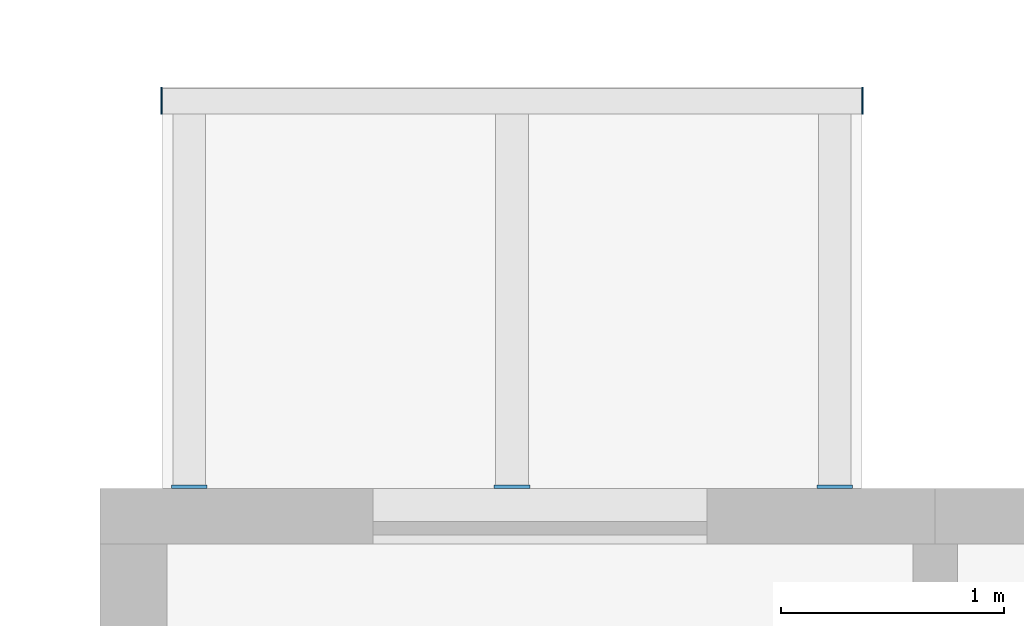
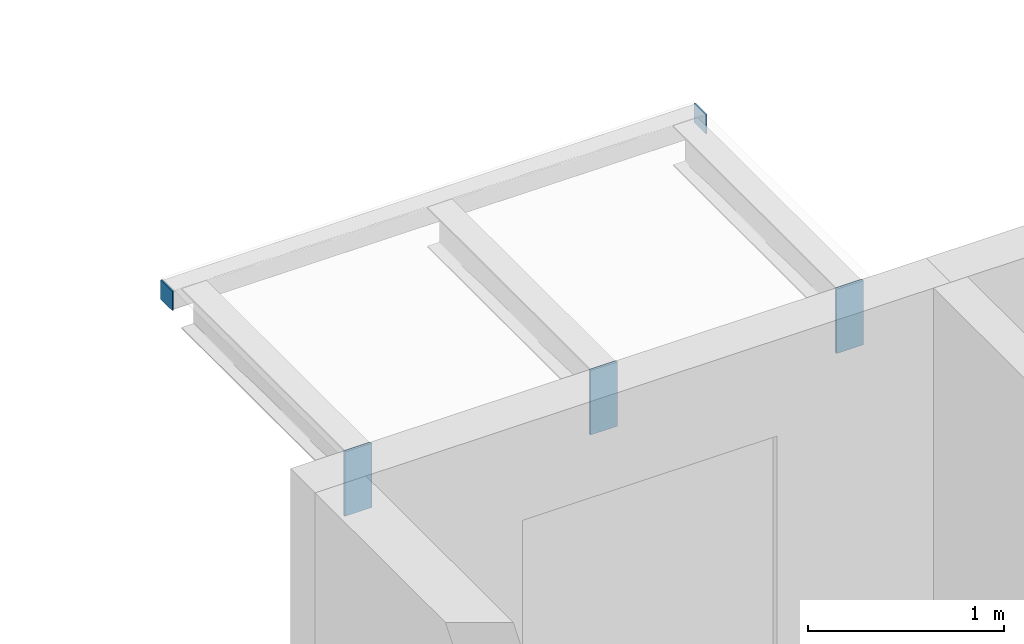
# One storey, part 88 of 115: 5 discrete accessories.
"""IFC4 building model written with IfcOpenShell, lengths in metres."""

from ifc_helpers import new_model, si_unit, direction, frame, origin, origin_2d, place, context, subcontext, project, spatial, rectangle, extrude, material, layer, layer_set, type_object, element, save


model = new_model("IFC4")

# Units and contexts
model_context = context("Model", 3, precision=1e-05, world=origin(), true_north=direction((0.0, 1.0)))
body_context = subcontext(model_context, "Body", "Model", "MODEL_VIEW")
ifc_project = project(units=[si_unit("LENGTHUNIT", "METRE"), si_unit("AREAUNIT", "SQUARE_METRE"), si_unit("VOLUMEUNIT", "CUBIC_METRE"), si_unit("PLANEANGLEUNIT", "RADIAN"), si_unit("MASSUNIT", "GRAM", prefix="KILO")], contexts=[model_context])

# Site, building, storey
site_placement = place(None, origin())
site = spatial("IfcSite", under=ifc_project, at=site_placement, CompositionType="ELEMENT")
building_placement = place(site_placement, origin())
building = spatial("IfcBuilding", under=site, at=building_placement, Name="Ridgestep Commons", CompositionType="ELEMENT")
storey_placement = place(building_placement, frame((0.0, 0.0, 6.0)))
storey = spatial("IfcBuildingStorey", under=building, at=storey_placement, Name="L02", CompositionType="ELEMENT", Elevation=6.0)

# Discrete accessories
ifc_material_1 = material(Name="Weathering steel S355J2W", Category="steel")
ifc_layer_1 = layer(ifc_material_1, 0.014892578125)
ifc_layer_set_1 = layer_set([ifc_layer_1], Name="Tray bracket plate 15")
discrete_accessory_type_1 = type_object("IfcDiscreteAccessoryType", Name="Tray bracket plate 15", PredefinedType="BRACKET", material=ifc_layer_set_1)
for number, where, z_axis, x_axis, name in (
    (1, (147.050048828125, 77.257568359375, 2.588623046875), (0.0, 0.0, 1.0), (1.0, 0.0, 0.0), "Tray bracket C1T1-03.1"),
    (2, (148.5, 77.257568359375, 2.588623046875), (0.0, 0.0, 1.0), (1.0, 0.0, 0.0), "Tray bracket C1T1-03.2"),
    (3, (149.949951171875, 77.257568359375, 2.588623046875), (0.0, 0.0, 1.0), (1.0, 0.0, 0.0), "Tray bracket C1T1-03.3"),
):
    element("IfcDiscreteAccessory", number, at=place(storey_placement, frame(where, z_axis=z_axis, x_axis=x_axis)), inside=storey, type_object=discrete_accessory_type_1, Name=name, PredefinedType="BRACKET", context=body_context, shape_type="SweptSolid", body=[
        extrude(rectangle(XDim=0.159912109375, YDim=0.014892578125, at=origin_2d()), origin(), (0.0, 0.0, 1.0), 0.4013671875),
    ])
ifc_material_2 = material(Name="Weathering steel S355J2W", Category="steel")
ifc_layer_2 = layer(ifc_material_2, 0.008056640625)
ifc_layer_set_2 = layer_set([ifc_layer_2], Name="Tray edge member end plate 120 x 120 x 8")
discrete_accessory_type_2 = type_object("IfcDiscreteAccessoryType", Name="Tray edge member end plate 120 x 120 x 8", PredefinedType="BRACKET", material=ifc_layer_set_2)
for number, where, z_axis, x_axis, name in (
    (4, (146.926025390625, 78.989990234375, 2.869873046875), (0.0, 0.0, 1.0), (1.0, 0.0, 0.0), "Tray edge member end plate C1T1-03 west"),
    (5, (150.073974609375, 78.989990234375, 2.869873046875), (0.0, 0.0, 1.0), (1.0, 0.0, 0.0), "Tray edge member end plate C1T1-03 east"),
):
    element("IfcDiscreteAccessory", number, at=place(storey_placement, frame(where, z_axis=z_axis, x_axis=x_axis)), inside=storey, type_object=discrete_accessory_type_2, Name=name, PredefinedType="BRACKET", context=body_context, shape_type="SweptSolid", body=[
        extrude(rectangle(XDim=0.008056640625, YDim=0.1201171875, at=origin_2d()), origin(), (0.0, 0.0, 1.0), 0.1201171875),
    ])

save(model, "model.ifc")
